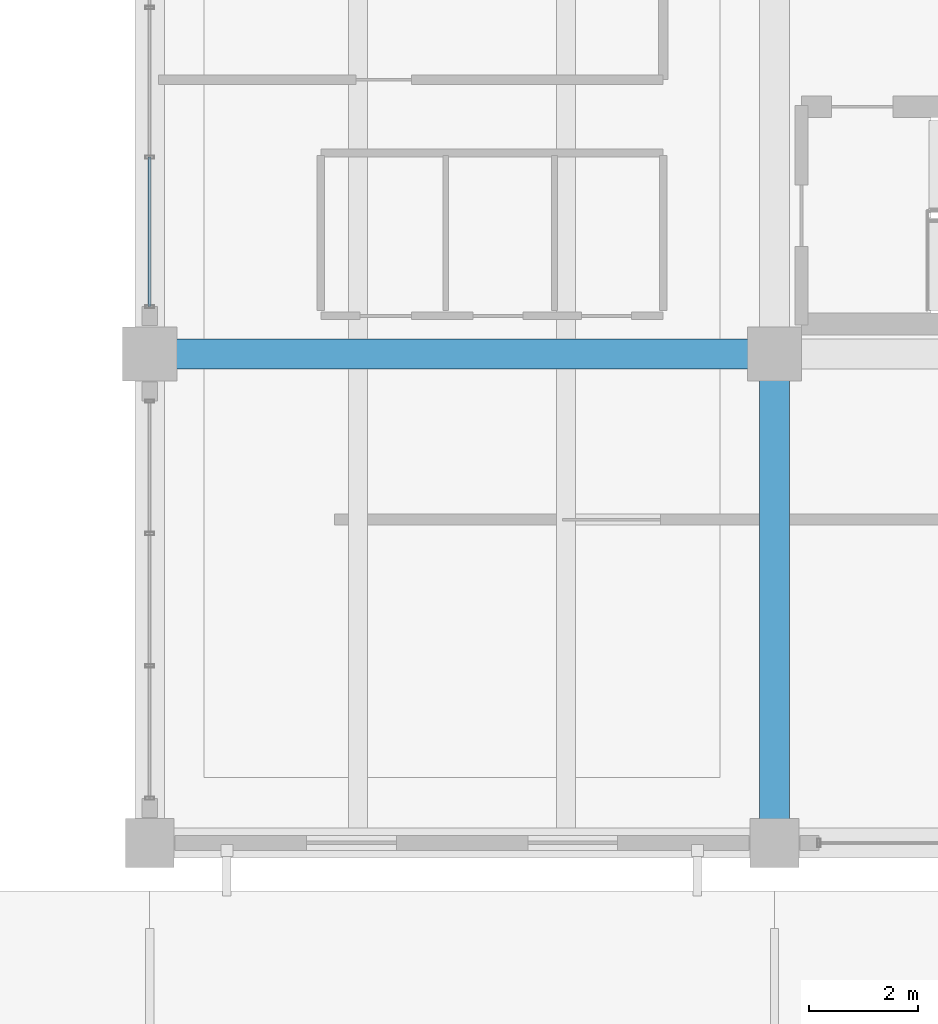
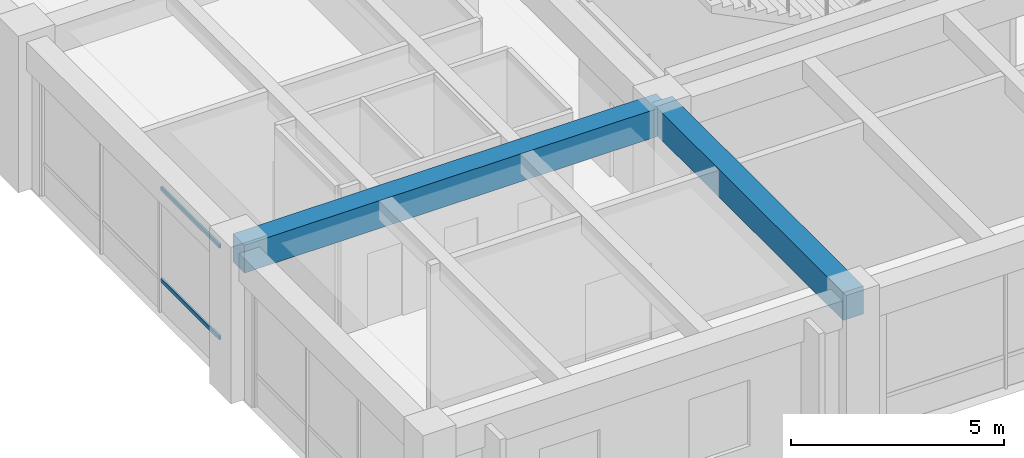
# One storey, part 87 of 154: 2 beams, 2 members, 1 element without a shape of its own.
"""IFC4 building model written with IfcOpenShell, lengths in metres."""

from ifc_helpers import new_model, si_unit, direction, frame, origin, origin_2d, place, context, subcontext, project, spatial, rectangle, hollow_rectangle, extrude, material, material_profile, profile_set, type_object, element, aggregate, save


model = new_model("IFC4")

# Units and contexts
model_context = context("Model", 3, precision=1e-05, world=origin(), true_north=direction((0.0, 1.0)))
body_context = subcontext(model_context, "Body", "Model", "MODEL_VIEW")
ifc_project = project(units=[si_unit("LENGTHUNIT", "METRE"), si_unit("AREAUNIT", "SQUARE_METRE"), si_unit("VOLUMEUNIT", "CUBIC_METRE"), si_unit("PLANEANGLEUNIT", "RADIAN"), si_unit("MASSUNIT", "GRAM", prefix="KILO")], contexts=[model_context])

# Site, building, storey
site_placement = place(None, origin())
site = spatial("IfcSite", under=ifc_project, at=site_placement, CompositionType="ELEMENT")
building_placement = place(site_placement, origin())
building = spatial("IfcBuilding", under=site, at=building_placement, Name="Ologun Quay Terminus", CompositionType="ELEMENT")
storey_placement = place(building_placement, frame((0.0, 0.0, 13.800048828125)))
storey = spatial("IfcBuildingStorey", under=building, at=storey_placement, Name="L03", CompositionType="ELEMENT", Elevation=13.800048828125)

# Curtain wall, members
ifc_material_1 = material(Name="Aluminium 6063-T6", Category="aluminium")
curtain_wall_type = type_object("IfcCurtainWallType", Name="Rain-Garden East Courtyard Curtain Wall L03 9200x4150", PredefinedType="USERDEFINED", material=ifc_material_1)
curtain_wall_placement = place(storey_placement, origin())
curtain_wall = element("IfcCurtainWall", 1, at=curtain_wall_placement, inside=storey, type_object=curtain_wall_type, Name="CW-20 Curtain Wall CW-L03-143", ObjectType="UNITISED CURTAIN WALL", PredefinedType="USERDEFINED")
ifc_material_2 = material(Name="Aluminium 6063-T6", Category="aluminium")
ifc_material_profile_1 = material_profile(ifc_material_2, hollow_rectangle(XDim=0.054931640625, YDim=0.110107421875, WallThickness=0.00390625, at=origin_2d()), Name="ALU 110x55x4")
ifc_profile_set_1 = profile_set([ifc_material_profile_1], Name="Aluminium 6063-T6")
member_type = type_object("IfcMemberType", Name="Courtyard Screen Transom 110x55", PredefinedType="USERDEFINED", material=ifc_profile_set_1)
member_1_placement = place(storey_placement, frame((115.0, 95.669921875, 0.89990234375), z_axis=(0.0, 1.0, 0.0), x_axis=(-1.0, 0.0, 0.0)))
member_1 = element("IfcMember", 2, at=member_1_placement, type_object=member_type, Name="CW-L03-143 Transom B1-1", ObjectType="TRANSOM", PredefinedType="USERDEFINED", context=body_context, shape_type="SweptSolid", body=[
    extrude(hollow_rectangle(XDim=0.054931640625, YDim=0.110107421875, WallThickness=0.00390625, at=origin_2d()), origin(), (0.0, 0.0, 1.0), 2.75341796875),
])
member_2_placement = place(storey_placement, frame((115.0, 95.669921875, 3.530029296875), z_axis=(0.0, 1.0, 0.0), x_axis=(-1.0, 0.0, 0.0)))
member_2 = element("IfcMember", 3, at=member_2_placement, type_object=member_type, Name="CW-L03-143 Transom B1-2", ObjectType="TRANSOM", PredefinedType="USERDEFINED", context=body_context, shape_type="SweptSolid", body=[
    extrude(hollow_rectangle(XDim=0.054931640625, YDim=0.110107421875, WallThickness=0.00390625, at=origin_2d()), origin(), (0.0, 0.0, 1.0), 2.75341796875),
])
aggregate(curtain_wall, [member_1, member_2])

# Beams
ifc_material_3 = material(Name="Concrete C40/50", Category="concrete")
ifc_material_profile_2 = material_profile(ifc_material_3, rectangle(XDim=0.550048828125, YDim=0.800048828125, at=origin_2d()), Name="RC 550x800")
ifc_profile_set_2 = profile_set([ifc_material_profile_2], Name="Concrete C40/50")
beam_type = type_object("IfcBeamType", Name="Courtyard Wing Primary Girder 550x800", PredefinedType="BEAM", material=ifc_profile_set_2)
beam_1_placement = place(storey_placement, frame((115.0, 94.800048828125, 3.849853515625), z_axis=(1.0, 0.0, 0.0), x_axis=(0.0, 1.0, 0.0)))
element("IfcBeam", 4, at=beam_1_placement, inside=storey, type_object=beam_type, Name="B4 Beam 11/H L03", PredefinedType="BEAM", context=body_context, shape_type="SweptSolid", body=[
    extrude(rectangle(XDim=0.550048828125, YDim=0.800048828125, at=origin_2d()), origin(), (0.0, 0.0, 1.0), 11.5),
])
beam_2_placement = place(storey_placement, frame((126.5, 85.800048828125, 3.849853515625), z_axis=(0.0, 1.0, 0.0), x_axis=(-1.0, 0.0, 0.0)))
element("IfcBeam", 5, at=beam_2_placement, inside=storey, type_object=beam_type, Name="B4 Beam 12/G2 L03", PredefinedType="BEAM", context=body_context, shape_type="SweptSolid", body=[
    extrude(rectangle(XDim=0.550048828125, YDim=0.800048828125, at=origin_2d()), origin(), (0.0, 0.0, 1.0), 9.0),
])

save(model, "model.ifc")
